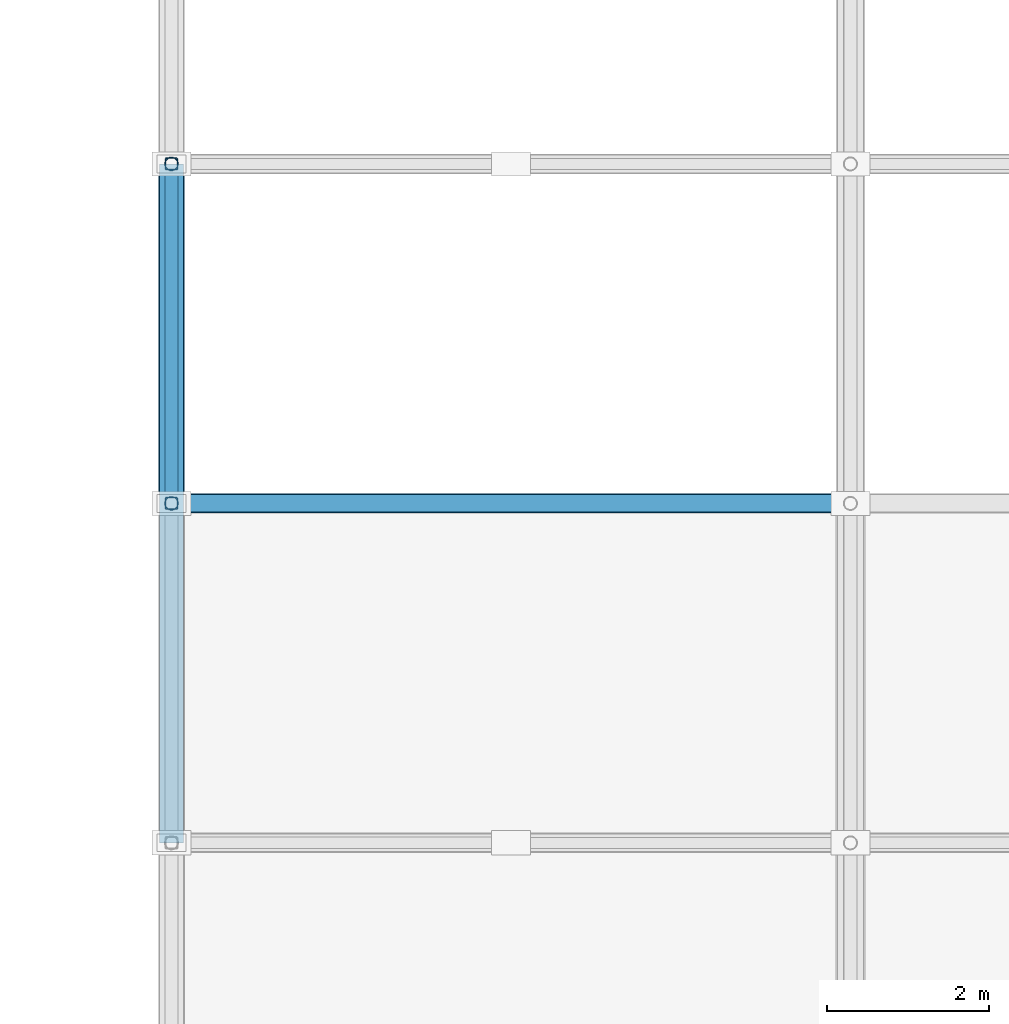
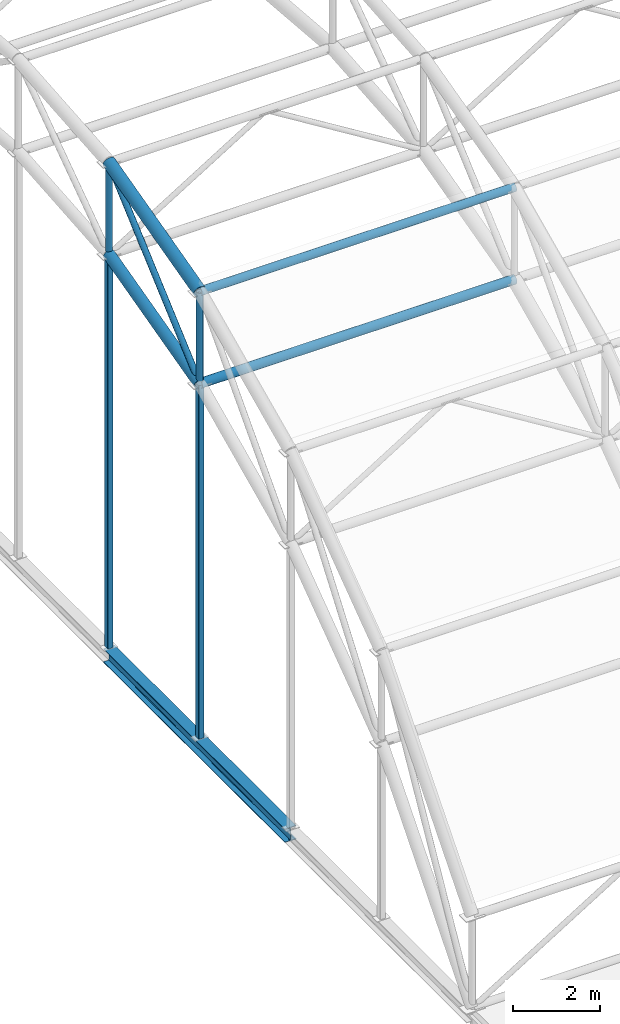
# One storey, part 10 of 103: 7 members, 3 beams.
"""IFC4 building model written with IfcOpenShell, lengths in metres."""

from ifc_helpers import new_model, si_unit, direction, frame, origin, origin_2d, place, context, subcontext, project, spatial, hollow_rectangle, hollow_circle, i_section, extrude, material, material_profile, profile_set, type_object, element, save


model = new_model("IFC4")

# Units and contexts
model_context = context("Model", 3, precision=1e-05, world=origin(), true_north=direction((0.0, 1.0)))
body_context = subcontext(model_context, "Body", "Model", "MODEL_VIEW")
ifc_project = project(units=[si_unit("LENGTHUNIT", "METRE"), si_unit("AREAUNIT", "SQUARE_METRE"), si_unit("VOLUMEUNIT", "CUBIC_METRE"), si_unit("PLANEANGLEUNIT", "RADIAN"), si_unit("MASSUNIT", "GRAM", prefix="KILO")], contexts=[model_context])

# Site, building, storey
site_placement = place(None, origin())
site = spatial("IfcSite", under=ifc_project, at=site_placement, CompositionType="ELEMENT")
building_placement = place(site_placement, origin())
building = spatial("IfcBuilding", under=site, at=building_placement, Name="Varnapada Polytechnic", CompositionType="ELEMENT")
storey_placement = place(building_placement, frame((0.0, 0.0, 18.0)))
storey = spatial("IfcBuildingStorey", under=building, at=storey_placement, Name="L04", CompositionType="ELEMENT", Elevation=18.0)

# Members
ifc_material = material(Name="Steel S355", Category="steel")
ifc_material_profile_1 = material_profile(ifc_material, hollow_rectangle(XDim=0.14990234375, YDim=0.14990234375, WallThickness=0.00634765625, InnerFilletRadius=0.006103515625, OuterFilletRadius=0.011962890625, at=origin_2d()), Name="SHS 150x150x6.3")
ifc_profile_set_1 = profile_set([ifc_material_profile_1], Name="Steel S355")
member_type_1 = type_object("IfcMemberType", Name="Sawtooth north-light mullion post SFP-02 (SHS 150x150x6.3)", PredefinedType="POST", material=ifc_profile_set_1)
member_1_placement = place(storey_placement, frame((50.39990234375, 96.60009765625, 0.0), z_axis=(0.0, 0.0, 1.0), x_axis=(1.0, 0.0, 0.0)))
element("IfcMember", 1, at=member_1_placement, inside=storey, type_object=member_type_1, Name="Workshop arch tympanum mullion W.3", PredefinedType="POST", context=body_context, shape_type="SweptSolid", body=[
    extrude(hollow_rectangle(XDim=0.14990234375, YDim=0.14990234375, WallThickness=0.00634765625, InnerFilletRadius=0.006103515625, OuterFilletRadius=0.011962890625, at=origin_2d()), origin(), (0.0, 0.0, 1.0), 9.98193359375),
])
member_2_placement = place(storey_placement, frame((50.39990234375, 100.800048828125, 0.0), z_axis=(0.0, 0.0, 1.0), x_axis=(1.0, 0.0, 0.0)))
element("IfcMember", 2, at=member_2_placement, inside=storey, type_object=member_type_1, Name="Workshop arch tympanum mullion W.4", PredefinedType="POST", context=body_context, shape_type="SweptSolid", body=[
    extrude(hollow_rectangle(XDim=0.14990234375, YDim=0.14990234375, WallThickness=0.00634765625, InnerFilletRadius=0.006103515625, OuterFilletRadius=0.011962890625, at=origin_2d()), origin(), (0.0, 0.0, 1.0), 11.080078125),
])

# Beam
ifc_material_profile_2 = material_profile(ifc_material, hollow_circle(Radius=0.149169921875, WallThickness=0.010009765625, at=origin_2d()), Name="CHS 298.5x10.0")
ifc_profile_set_2 = profile_set([ifc_material_profile_2], Name="Steel S355")
beam_type_1 = type_object("IfcBeamType", Name="Space frame end-bay arch rib VA-04 (CHS 298.5x10.0)", PredefinedType="BEAM", material=ifc_profile_set_2)
beam_1_placement = place(storey_placement, frame((50.39990234375, 96.60009765625, 9.98193359375), z_axis=(0.0, 0.967476176159, 0.252962148484), x_axis=(-1.0, 0.0, 0.0)))
element("IfcBeam", 3, at=beam_1_placement, inside=storey, type_object=beam_type_1, Name="Vaulted space frame bottom arch chord 1.4", PredefinedType="BEAM", context=body_context, shape_type="SweptSolid", body=[
    extrude(hollow_circle(Radius=0.149169921875, WallThickness=0.010009765625, at=origin_2d()), origin(), (0.0, 0.0, 1.0), 4.341064453125),
])

# Member
ifc_material_profile_3 = material_profile(ifc_material, hollow_circle(Radius=0.07958984375, WallThickness=0.00634765625, at=origin_2d()), Name="CHS 159.0x6.3")
ifc_profile_set_3 = profile_set([ifc_material_profile_3], Name="Steel S355")
member_type_2 = type_object("IfcMemberType", Name="Space frame perimeter web diagonal SFB-03 (CHS 159.0x6.3)", PredefinedType="BRACE", material=ifc_profile_set_3)
member_3_placement = place(storey_placement, frame((50.39990234375, 96.60009765625, 9.98193359375), z_axis=(0.0, 0.750532603682, 0.660833421378), x_axis=(-1.0, 0.0, 0.0)))
element("IfcMember", 4, at=member_3_placement, inside=storey, type_object=member_type_2, Name="Vaulted space frame web diagonal 1.4", PredefinedType="BRACE", context=body_context, shape_type="SweptSolid", body=[
    extrude(hollow_circle(Radius=0.07958984375, WallThickness=0.00634765625, at=origin_2d()), origin(), (0.0, 0.0, 1.0), 5.595947265625),
])

# Beam
ifc_material_profile_4 = material_profile(ifc_material, i_section(OverallWidth=0.300048828125, OverallDepth=0.389892578125, WebThickness=0.010986328125, FlangeThickness=0.01904296875, FilletRadius=0.027099609375, at=origin_2d()), Name="HEA 400")
ifc_profile_set_4 = profile_set([ifc_material_profile_4], Name="Steel S355")
beam_type_2 = type_object("IfcBeamType", Name="Steel roof primary girder SG-01 (HEA 400)", PredefinedType="BEAM", material=ifc_profile_set_4)
beam_2_placement = place(storey_placement, frame((50.39990234375, 92.39990234375, -0.18994140625), z_axis=(0.0, 1.0, 0.0), x_axis=(-1.0, 0.0, 0.0)))
element("IfcBeam", 5, at=beam_2_placement, inside=storey, type_object=beam_type_2, Name="L04 workshop arch tympanum sill girder W.2", PredefinedType="BEAM", context=body_context, shape_type="SweptSolid", body=[
    extrude(i_section(OverallWidth=0.300048828125, OverallDepth=0.389892578125, WebThickness=0.010986328125, FlangeThickness=0.01904296875, FilletRadius=0.027099609375, at=origin_2d()), origin(), (0.0, 0.0, 1.0), 8.400146484375),
])

# Members
ifc_material_profile_5 = material_profile(ifc_material, hollow_circle(Radius=0.122314453125, WallThickness=0.008056640625, at=origin_2d()), Name="CHS 244.5x8.0")
ifc_profile_set_5 = profile_set([ifc_material_profile_5], Name="Steel S355")
member_type_3 = type_object("IfcMemberType", Name="Vaulted space frame longitudinal bottom chord SFC-01 (CHS 244.5x8.0)", PredefinedType="CHORD", material=ifc_profile_set_5)
member_4_placement = place(storey_placement, frame((50.39990234375, 96.60009765625, 9.98193359375), z_axis=(1.0, 0.0, 0.0), x_axis=(0.0, 1.0, 0.0)))
element("IfcMember", 6, at=member_4_placement, inside=storey, type_object=member_type_3, Name="Vaulted space frame longitudinal bottom chord 1.4", PredefinedType="CHORD", context=body_context, shape_type="SweptSolid", body=[
    extrude(hollow_circle(Radius=0.122314453125, WallThickness=0.008056640625, at=origin_2d()), origin(), (0.0, 0.0, 1.0), 8.400146484375),
])
ifc_material_profile_6 = material_profile(ifc_material, hollow_circle(Radius=0.109619140625, WallThickness=0.008056640625, at=origin_2d()), Name="CHS 219.1x8.0")
ifc_profile_set_6 = profile_set([ifc_material_profile_6], Name="Steel S355")
member_type_4 = type_object("IfcMemberType", Name="Vaulted space frame longitudinal top chord SFC-02 (CHS 219.1x8.0)", PredefinedType="CHORD", material=ifc_profile_set_6)
member_5_placement = place(storey_placement, frame((50.39990234375, 96.60009765625, 12.581787109375), z_axis=(1.0, 0.0, 0.0), x_axis=(0.0, 1.0, 0.0)))
element("IfcMember", 7, at=member_5_placement, inside=storey, type_object=member_type_4, Name="Vaulted space frame longitudinal top chord 1.4", PredefinedType="CHORD", context=body_context, shape_type="SweptSolid", body=[
    extrude(hollow_circle(Radius=0.109619140625, WallThickness=0.008056640625, at=origin_2d()), origin(), (0.0, 0.0, 1.0), 8.400146484375),
])
ifc_material_profile_7 = material_profile(ifc_material, hollow_circle(Radius=0.084228515625, WallThickness=0.00634765625, at=origin_2d()), Name="CHS 168.3x6.3")
ifc_profile_set_7 = profile_set([ifc_material_profile_7], Name="Steel S355")
member_type_5 = type_object("IfcMemberType", Name="Vaulted space frame radial web strut SFS-01 (CHS 168.3x6.3)", PredefinedType="STRUT", material=ifc_profile_set_7)
for number, where, z_axis, x_axis, name in (
    (8, (50.39990234375, 96.60009765625, 9.98193359375), (0.0, 0.0, 1.0), (1.0, 0.0, 0.0), "Vaulted space frame strut 1.4"),
    (9, (50.39990234375, 100.800048828125, 11.080078125), (0.0, 0.0, 1.0), (1.0, 0.0, 0.0), "Vaulted space frame strut 1.5"),
):
    element("IfcMember", number, at=place(storey_placement, frame(where, z_axis=z_axis, x_axis=x_axis)), inside=storey, type_object=member_type_5, Name=name, PredefinedType="STRUT", context=body_context, shape_type="SweptSolid", body=[
        extrude(hollow_circle(Radius=0.084228515625, WallThickness=0.00634765625, at=origin_2d()), origin(), (0.0, 0.0, 1.0), 2.599853515625),
    ])

# Beam
ifc_material_profile_8 = material_profile(ifc_material, hollow_circle(Radius=0.161865234375, WallThickness=0.010009765625, at=origin_2d()), Name="CHS 323.9x10.0")
ifc_profile_set_8 = profile_set([ifc_material_profile_8], Name="Steel S355")
beam_type_3 = type_object("IfcBeamType", Name="Vaulted space frame upper arch rib VA-02 (CHS 323.9x10.0)", PredefinedType="BEAM", material=ifc_profile_set_8)
beam_3_placement = place(storey_placement, frame((50.39990234375, 96.60009765625, 12.581787109375), z_axis=(0.0, 0.967476176159, 0.252962148484), x_axis=(-1.0, 0.0, 0.0)))
element("IfcBeam", 10, at=beam_3_placement, inside=storey, type_object=beam_type_3, Name="Vaulted space frame top arch chord 1.4", PredefinedType="BEAM", context=body_context, shape_type="SweptSolid", body=[
    extrude(hollow_circle(Radius=0.161865234375, WallThickness=0.010009765625, at=origin_2d()), origin(), (0.0, 0.0, 1.0), 4.341064453125),
])

save(model, "model.ifc")
